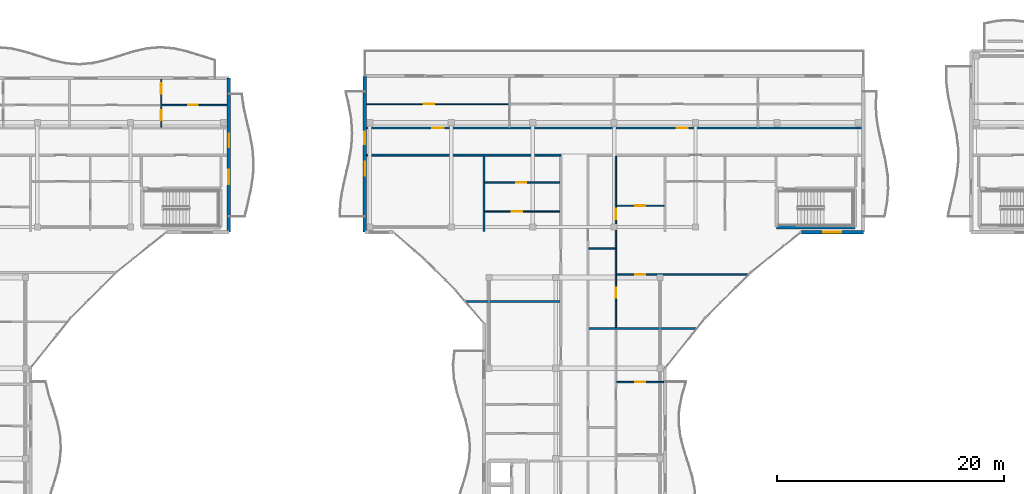
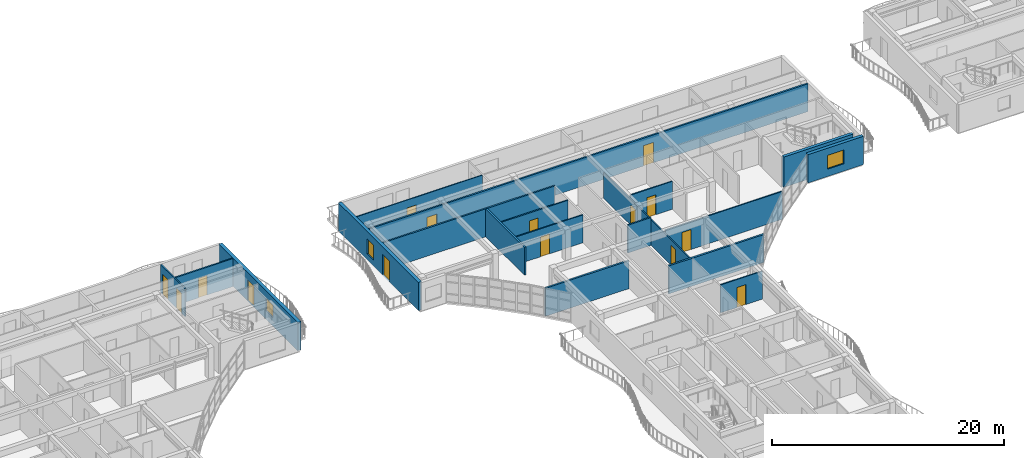
# One storey, part 32 of 54: 19 walls, 15 doors, 3 windows, 18 openings.
"""IFC4 building model written with IfcOpenShell, lengths in metres."""

from ifc_helpers import new_model, si_unit, direction, frame, frame_2d, origin, place, context, subcontext, project, spatial, rectangle, extrude, material, layer, layer_set, type_object, element, fill, save


model = new_model("IFC4")

# Units and contexts
model_context = context("Model", 3, precision=1e-05, world=origin(), true_north=direction((0.0, 1.0)))
body_context = subcontext(model_context, "Body", "Model", "MODEL_VIEW")
ifc_project = project(units=[si_unit("LENGTHUNIT", "METRE"), si_unit("AREAUNIT", "SQUARE_METRE"), si_unit("VOLUMEUNIT", "CUBIC_METRE"), si_unit("PLANEANGLEUNIT", "RADIAN"), si_unit("MASSUNIT", "GRAM", prefix="KILO")], contexts=[model_context])

# Site, building, storey
site_placement = place(None, origin())
site = spatial("IfcSite", under=ifc_project, at=site_placement, CompositionType="ELEMENT")
building_placement = place(site_placement, origin())
building = spatial("IfcBuilding", under=site, at=building_placement, Name="Keldmere Railside Commons", CompositionType="ELEMENT")
storey_placement = place(building_placement, frame((0.0, 0.0, 26.56005859375)))
storey = spatial("IfcBuildingStorey", under=building, at=storey_placement, Name="L08", CompositionType="ELEMENT", Elevation=26.56005859375)

# Walls
ifc_material_1 = material(Name="Acoustic Gypsum Board Partition", Category="gypsum")
ifc_layer_1 = layer(ifc_material_1, 0.179931640625, Name="Acoustic Demising Partition 180")
ifc_layer_set_1 = layer_set([ifc_layer_1], Name="Acoustic Gypsum Board Partition")
wall_type_1 = type_object("IfcWallType", Name="Acoustic Demising Partition 180", PredefinedType="PARTITIONING", material=ifc_layer_set_1)
wall_1_placement = place(storey_placement, frame((104.0, 100.050048828125, 0.0), z_axis=(0.0, 0.0, 1.0), x_axis=(0.0, 1.0, 0.0)))
element("IfcWall", 1, at=wall_1_placement, inside=storey, type_object=wall_type_1, Name="IW-1 IW-L08-1237", PredefinedType="PARTITIONING", context=body_context, shape_type="SweptSolid", body=[
    extrude(rectangle(XDim=6.669921875, YDim=0.179931640625, at=frame_2d((3.3349609375, 0.0))), origin(), (0.0, 0.0, 1.0), 2.93505859375),
])
wall_2_placement = place(storey_placement, frame((113.280029296875, 91.5, 0.0), z_axis=(0.0, 0.0, 1.0), x_axis=(1.0, 0.0, 0.0)))
element("IfcWall", 2, at=wall_2_placement, inside=storey, type_object=wall_type_1, Name="IW-1 IW-L08-1241", PredefinedType="PARTITIONING", context=body_context, shape_type="SweptSolid", body=[
    extrude(rectangle(XDim=9.4765625, YDim=0.179931640625, at=frame_2d((4.73828125, 0.0))), origin(), (0.0, 0.0, 1.0), 2.93505859375),
])
wall_3_placement = place(storey_placement, frame((102.410888671875, 93.89990234375, 0.0), z_axis=(0.0, 0.0, 1.0), x_axis=(1.0, 0.0, 0.0)))
element("IfcWall", 3, at=wall_3_placement, inside=storey, type_object=wall_type_1, Name="IW-1 IW-L08-1264", PredefinedType="PARTITIONING", context=body_context, shape_type="SweptSolid", body=[
    extrude(rectangle(XDim=8.30908203125, YDim=0.179931640625, at=frame_2d((4.154541015625, 0.0))), origin(), (0.0, 0.0, 1.0), 2.93505859375),
])

# Wall, openings, doors
ifc_layer_2 = layer(ifc_material_1, 0.1201171875, Name="Apartment Interior Partition 120")
ifc_layer_set_2 = layer_set([ifc_layer_2], Name="Acoustic Gypsum Board Partition")
wall_type_2 = type_object("IfcWallType", Name="Apartment Interior Partition 120", PredefinedType="PARTITIONING", material=ifc_layer_set_2)
wall_4_placement = place(storey_placement, frame((75.5400390625, 109.280029296875, 0.0), z_axis=(0.0, 0.0, 1.0), x_axis=(0.0, 1.0, 0.0)))
wall_4 = element("IfcWall", 4, at=wall_4_placement, inside=storey, type_object=wall_type_2, Name="IW-4 IW-L08-0845", PredefinedType="PARTITIONING", context=body_context, shape_type="SweptSolid", body=[
    extrude(rectangle(XDim=4.199951171875, YDim=0.1201171875, at=frame_2d((2.10009765625, 0.0))), origin(), (0.0, 0.0, 1.0), 2.93505859375),
])
opening_1_placement = place(wall_4_placement, frame((0.61767578125, 0.0, 0.0)))
opening_1 = element("IfcOpeningElement", 5, at=opening_1_placement, cuts=wall_4, Name="Opening ID-04", PredefinedType="OPENING", context=body_context, shape_type="SweptSolid", body=[
    extrude(rectangle(XDim=0.860107421875, YDim=2.10009765625, at=frame_2d((0.43017578125, 1.050048828125))), frame((0.0, 0.070068359375, 0.0), z_axis=(0.0, -1.0, 0.0), x_axis=(1.0, 0.0, 0.0)), (0.0, 0.0, 1.0), 0.14013671875),
])
opening_2_placement = place(wall_4_placement, frame((2.951416015625, 0.0, 0.0)))
opening_2 = element("IfcOpeningElement", 6, at=opening_2_placement, cuts=wall_4, Name="Opening ID-01", PredefinedType="OPENING", context=body_context, shape_type="SweptSolid", body=[
    extrude(rectangle(XDim=0.89990234375, YDim=2.10009765625, at=frame_2d((0.449951171875, 1.050048828125))), frame((0.0, 0.070068359375, 0.0), z_axis=(0.0, -1.0, 0.0), x_axis=(1.0, 0.0, 0.0)), (0.0, 0.0, 1.0), 0.14013671875),
])
ifc_material_2 = material(Name="Engineered Oak Timber", Category="wood")
door_type_1 = type_object("IfcDoorType", Name="Apartment Bathroom Door 860x2100", OperationType="NOTDEFINED", PredefinedType="DOOR", material=ifc_material_2)
door_1_placement = place(opening_1_placement, origin())
door_1 = element("IfcDoor", 7, at=door_1_placement, inside=storey, type_object=door_type_1, Name="ID-04 IDR-L08-0728", OperationType="SINGLE_SWING_RIGHT", OverallHeight=2.10009765625, OverallWidth=0.860107421875, PredefinedType="DOOR", context=body_context, shape_type="SweptSolid", body=[
    extrude(rectangle(XDim=0.860107421875, YDim=2.10009765625, at=frame_2d((0.43017578125, 1.050048828125))), frame((0.0, 0.02490234375, 0.0), z_axis=(0.0, -1.0, 0.0), x_axis=(1.0, 0.0, 0.0)), (0.0, 0.0, 1.0), 0.050048828125),
])
fill(opening_1, door_1)
door_type_2 = type_object("IfcDoorType", Name="Primary Bedroom Door 900x2100", OperationType="NOTDEFINED", PredefinedType="DOOR", material=ifc_material_2)
door_2_placement = place(opening_2_placement, origin())
door_2 = element("IfcDoor", 8, at=door_2_placement, inside=storey, type_object=door_type_2, Name="ID-01 IDR-L08-0729", OperationType="SINGLE_SWING_LEFT", OverallHeight=2.10009765625, OverallWidth=0.89990234375, PredefinedType="DOOR", context=body_context, shape_type="SweptSolid", body=[
    extrude(rectangle(XDim=0.89990234375, YDim=2.10009765625, at=frame_2d((0.449951171875, 1.050048828125))), frame((0.0, 0.02490234375, 0.0), z_axis=(0.0, -1.0, 0.0), x_axis=(1.0, 0.0, 0.0)), (0.0, 0.0, 1.0), 0.050048828125),
])
fill(opening_2, door_2)

# Wall, opening, door
wall_5_placement = place(storey_placement, frame((115.719970703125, 86.77001953125, 0.0), z_axis=(0.0, 0.0, 1.0), x_axis=(1.0, 0.0, 0.0)))
wall_5 = element("IfcWall", 9, at=wall_5_placement, inside=storey, type_object=wall_type_2, Name="IW-4 IW-L08-1249", PredefinedType="PARTITIONING", context=body_context, shape_type="SweptSolid", body=[
    extrude(rectangle(XDim=4.150146484375, YDim=0.1201171875, at=frame_2d((2.0751953125, 0.0))), origin(), (0.0, 0.0, 1.0), 2.93505859375),
])
opening_3_placement = place(wall_5_placement, frame((1.635009765625, 0.0, 0.0)))
opening_3 = element("IfcOpeningElement", 10, at=opening_3_placement, cuts=wall_5, Name="Opening ID-02", PredefinedType="OPENING", context=body_context, shape_type="SweptSolid", body=[
    extrude(rectangle(XDim=0.8798828125, YDim=2.10009765625, at=frame_2d((0.43994140625, 1.050048828125))), frame((0.0, 0.070068359375, 0.0), z_axis=(0.0, -1.0, 0.0), x_axis=(1.0, 0.0, 0.0)), (0.0, 0.0, 1.0), 0.14013671875),
])
door_type_3 = type_object("IfcDoorType", Name="Secondary Bedroom Door 880x2100", OperationType="NOTDEFINED", PredefinedType="DOOR", material=ifc_material_2)
door_3_placement = place(opening_3_placement, origin())
door_3 = element("IfcDoor", 11, at=door_3_placement, inside=storey, type_object=door_type_3, Name="ID-02 IDR-L08-1109", OperationType="SINGLE_SWING_LEFT", OverallHeight=2.10009765625, OverallWidth=0.8798828125, PredefinedType="DOOR", context=body_context, shape_type="SweptSolid", body=[
    extrude(rectangle(XDim=0.8798828125, YDim=2.10009765625, at=frame_2d((0.43994140625, 1.050048828125))), frame((0.0, 0.02490234375, 0.0), z_axis=(0.0, -1.0, 0.0), x_axis=(1.0, 0.0, 0.0)), (0.0, 0.0, 1.0), 0.050048828125),
])
fill(opening_3, door_3)

# Wall, openings, doors
wall_6_placement = place(storey_placement, frame((115.659912109375, 91.590087890625, 0.0), z_axis=(0.0, 0.0, 1.0), x_axis=(0.0, 1.0, 0.0)))
wall_6 = element("IfcWall", 12, at=wall_6_placement, inside=storey, type_object=wall_type_2, Name="IW-4 IW-L08-1250", PredefinedType="PARTITIONING", context=body_context, shape_type="SweptSolid", body=[
    extrude(rectangle(XDim=15.1298828125, YDim=0.1201171875, at=frame_2d((7.56494140625, 0.0))), origin(), (0.0, 0.0, 1.0), 2.679931640625),
])
opening_4_placement = place(wall_6_placement, frame((2.644775390625, 0.0, 0.0)))
opening_4 = element("IfcOpeningElement", 13, at=opening_4_placement, cuts=wall_6, Name="Opening ID-04", PredefinedType="OPENING", context=body_context, shape_type="SweptSolid", body=[
    extrude(rectangle(XDim=0.860107421875, YDim=2.10009765625, at=frame_2d((0.43017578125, 1.050048828125))), frame((0.0, 0.070068359375, 0.0), z_axis=(0.0, -1.0, 0.0), x_axis=(1.0, 0.0, 0.0)), (0.0, 0.0, 1.0), 0.14013671875),
])
opening_5_placement = place(wall_6_placement, frame((9.547607421875, 0.0, 0.0)))
opening_5 = element("IfcOpeningElement", 14, at=opening_5_placement, cuts=wall_6, Name="Opening ID-03", PredefinedType="OPENING", context=body_context, shape_type="SweptSolid", body=[
    extrude(rectangle(XDim=0.919921875, YDim=2.10009765625, at=frame_2d((0.4599609375, 1.050048828125))), frame((0.0, 0.070068359375, 0.0), z_axis=(0.0, -1.0, 0.0), x_axis=(1.0, 0.0, 0.0)), (0.0, 0.0, 1.0), 0.14013671875),
])
door_4_placement = place(opening_4_placement, origin())
door_4 = element("IfcDoor", 15, at=door_4_placement, inside=storey, type_object=door_type_1, Name="ID-04 IDR-L08-1110", OperationType="SINGLE_SWING_RIGHT", OverallHeight=2.10009765625, OverallWidth=0.860107421875, PredefinedType="DOOR", context=body_context, shape_type="SweptSolid", body=[
    extrude(rectangle(XDim=0.860107421875, YDim=2.10009765625, at=frame_2d((0.43017578125, 1.050048828125))), frame((0.0, 0.02490234375, 0.0), z_axis=(0.0, -1.0, 0.0), x_axis=(1.0, 0.0, 0.0)), (0.0, 0.0, 1.0), 0.050048828125),
])
fill(opening_4, door_4)
door_type_4 = type_object("IfcDoorType", Name="Kitchen Pocket-Frame Swing Door 920x2100", OperationType="NOTDEFINED", PredefinedType="DOOR", material=ifc_material_2)
door_5_placement = place(opening_5_placement, origin())
door_5 = element("IfcDoor", 16, at=door_5_placement, inside=storey, type_object=door_type_4, Name="ID-03 IDR-L08-1111", OperationType="SINGLE_SWING_LEFT", OverallHeight=2.10009765625, OverallWidth=0.919921875, PredefinedType="DOOR", context=body_context, shape_type="SweptSolid", body=[
    extrude(rectangle(XDim=0.919921875, YDim=2.10009765625, at=frame_2d((0.4599609375, 1.050048828125))), frame((0.0, 0.02490234375, 0.0), z_axis=(0.0, -1.0, 0.0), x_axis=(1.0, 0.0, 0.0)), (0.0, 0.0, 1.0), 0.050048828125),
])
fill(opening_5, door_5)

# Wall, opening, door
wall_7_placement = place(storey_placement, frame((115.719970703125, 96.280029296875, 0.0), z_axis=(0.0, 0.0, 1.0), x_axis=(1.0, 0.0, 0.0)))
wall_7 = element("IfcWall", 17, at=wall_7_placement, inside=storey, type_object=wall_type_2, Name="IW-4 IW-L08-1252", PredefinedType="PARTITIONING", context=body_context, shape_type="SweptSolid", body=[
    extrude(rectangle(XDim=11.62744140625, YDim=0.1201171875, at=frame_2d((5.813720703125, 0.0))), origin(), (0.0, 0.0, 1.0), 2.93505859375),
])
opening_6_placement = place(wall_7_placement, frame((1.64501953125, 0.0, 0.0)))
opening_6 = element("IfcOpeningElement", 18, at=opening_6_placement, cuts=wall_7, Name="Opening ID-01", PredefinedType="OPENING", context=body_context, shape_type="SweptSolid", body=[
    extrude(rectangle(XDim=0.89990234375, YDim=2.10009765625, at=frame_2d((0.449951171875, 1.050048828125))), frame((0.0, 0.070068359375, 0.0), z_axis=(0.0, -1.0, 0.0), x_axis=(1.0, 0.0, 0.0)), (0.0, 0.0, 1.0), 0.14013671875),
])
door_6_placement = place(opening_6_placement, origin())
door_6 = element("IfcDoor", 19, at=door_6_placement, inside=storey, type_object=door_type_2, Name="ID-01 IDR-L08-1113", OperationType="SINGLE_SWING_LEFT", OverallHeight=2.10009765625, OverallWidth=0.89990234375, PredefinedType="DOOR", context=body_context, shape_type="SweptSolid", body=[
    extrude(rectangle(XDim=0.89990234375, YDim=2.10009765625, at=frame_2d((0.449951171875, 1.050048828125))), frame((0.0, 0.02490234375, 0.0), z_axis=(0.0, -1.0, 0.0), x_axis=(1.0, 0.0, 0.0)), (0.0, 0.0, 1.0), 0.050048828125),
])
fill(opening_6, door_6)

wall_8_placement = place(storey_placement, frame((115.719970703125, 102.330078125, 0.0), z_axis=(0.0, 0.0, 1.0), x_axis=(1.0, 0.0, 0.0)))
wall_8 = element("IfcWall", 20, at=wall_8_placement, inside=storey, type_object=wall_type_2, Name="IW-4 IW-L08-1253", PredefinedType="PARTITIONING", context=body_context, shape_type="SweptSolid", body=[
    extrude(rectangle(XDim=4.18994140625, YDim=0.1201171875, at=frame_2d((2.094970703125, 0.0))), origin(), (0.0, 0.0, 1.0), 2.93505859375),
])
opening_7_placement = place(wall_8_placement, frame((1.655029296875, 0.0, 0.0)))
opening_7 = element("IfcOpeningElement", 21, at=opening_7_placement, cuts=wall_8, Name="Opening ID-02", PredefinedType="OPENING", context=body_context, shape_type="SweptSolid", body=[
    extrude(rectangle(XDim=0.8798828125, YDim=2.10009765625, at=frame_2d((0.43994140625, 1.050048828125))), frame((0.0, 0.070068359375, 0.0), z_axis=(0.0, -1.0, 0.0), x_axis=(1.0, 0.0, 0.0)), (0.0, 0.0, 1.0), 0.14013671875),
])
door_7_placement = place(opening_7_placement, origin())
door_7 = element("IfcDoor", 22, at=door_7_placement, inside=storey, type_object=door_type_3, Name="ID-02 IDR-L08-1114", OperationType="SINGLE_SWING_RIGHT", OverallHeight=2.10009765625, OverallWidth=0.8798828125, PredefinedType="DOOR", context=body_context, shape_type="SweptSolid", body=[
    extrude(rectangle(XDim=0.8798828125, YDim=2.10009765625, at=frame_2d((0.43994140625, 1.050048828125))), frame((0.0, 0.02490234375, 0.0), z_axis=(0.0, -1.0, 0.0), x_axis=(1.0, 0.0, 0.0)), (0.0, 0.0, 1.0), 0.050048828125),
])
fill(opening_7, door_7)

wall_9_placement = place(storey_placement, frame((104.090087890625, 101.820068359375, 0.0), z_axis=(0.0, 0.0, 1.0), x_axis=(1.0, 0.0, 0.0)))
wall_9 = element("IfcWall", 23, at=wall_9_placement, inside=storey, type_object=wall_type_2, Name="IW-4 IW-L08-1267", PredefinedType="PARTITIONING", context=body_context, shape_type="SweptSolid", body=[
    extrude(rectangle(XDim=6.6298828125, YDim=0.1201171875, at=frame_2d((3.31494140625, 0.0))), origin(), (0.0, 0.0, 1.0), 2.93505859375),
])
opening_8_placement = place(wall_9_placement, frame((2.384521484375, 0.0, 0.0)))
opening_8 = element("IfcOpeningElement", 24, at=opening_8_placement, cuts=wall_9, Name="Opening ID-03", PredefinedType="OPENING", context=body_context, shape_type="SweptSolid", body=[
    extrude(rectangle(XDim=0.919921875, YDim=2.10009765625, at=frame_2d((0.4599609375, 1.050048828125))), frame((0.0, 0.070068359375, 0.0), z_axis=(0.0, -1.0, 0.0), x_axis=(1.0, 0.0, 0.0)), (0.0, 0.0, 1.0), 0.14013671875),
])
door_8_placement = place(opening_8_placement, origin())
door_8 = element("IfcDoor", 25, at=door_8_placement, inside=storey, type_object=door_type_4, Name="ID-03 IDR-L08-1134", OperationType="SINGLE_SWING_RIGHT", OverallHeight=2.10009765625, OverallWidth=0.919921875, PredefinedType="DOOR", context=body_context, shape_type="SweptSolid", body=[
    extrude(rectangle(XDim=0.919921875, YDim=2.10009765625, at=frame_2d((0.4599609375, 1.050048828125))), frame((0.0, 0.02490234375, 0.0), z_axis=(0.0, -1.0, 0.0), x_axis=(1.0, 0.0, 0.0)), (0.0, 0.0, 1.0), 0.050048828125),
])
fill(opening_8, door_8)

ifc_layer_3 = layer(ifc_material_1, 0.10009765625, Name="Closet Light Partition 100")
ifc_layer_set_3 = layer_set([ifc_layer_3], Name="Acoustic Gypsum Board Partition")
wall_type_3 = type_object("IfcWallType", Name="Closet Light Partition 100", PredefinedType="PARTITIONING", material=ifc_layer_set_3)
wall_10_placement = place(storey_placement, frame((93.659912109375, 111.300048828125, 0.0), z_axis=(0.0, 0.0, 1.0), x_axis=(1.0, 0.0, 0.0)))
wall_10 = element("IfcWall", 26, at=wall_10_placement, inside=storey, type_object=wall_type_3, Name="IW-6 IW-L08-1257", PredefinedType="PARTITIONING", context=body_context, shape_type="SweptSolid", body=[
    extrude(rectangle(XDim=12.550048828125, YDim=0.10009765625, at=frame_2d((6.27490234375, 0.0))), origin(), (0.0, 0.0, 1.0), 2.93505859375),
])
opening_9_placement = place(wall_10_placement, frame((5.0439453125, 0.0, 0.0)))
opening_9 = element("IfcOpeningElement", 27, at=opening_9_placement, cuts=wall_10, Name="Opening ID-03", PredefinedType="OPENING", context=body_context, shape_type="SweptSolid", body=[
    extrude(rectangle(XDim=0.919921875, YDim=2.10009765625, at=frame_2d((0.4599609375, 1.050048828125))), frame((0.0, 0.06005859375, 0.0), z_axis=(0.0, -1.0, 0.0), x_axis=(1.0, 0.0, 0.0)), (0.0, 0.0, 1.0), 0.1201171875),
])
door_9_placement = place(opening_9_placement, origin())
door_9 = element("IfcDoor", 28, at=door_9_placement, inside=storey, type_object=door_type_4, Name="ID-03 IDR-L08-1116", OperationType="SINGLE_SWING_RIGHT", OverallHeight=2.10009765625, OverallWidth=0.919921875, PredefinedType="DOOR", context=body_context, shape_type="SweptSolid", body=[
    extrude(rectangle(XDim=0.919921875, YDim=2.10009765625, at=frame_2d((0.4599609375, 1.050048828125))), frame((0.0, 0.02490234375, 0.0), z_axis=(0.0, -1.0, 0.0), x_axis=(1.0, 0.0, 0.0)), (0.0, 0.0, 1.0), 0.050048828125),
])
fill(opening_9, door_9)

# Wall
ifc_layer_4 = layer(ifc_material_1, 0.159912109375, Name="Corridor Fire Partition 160")
ifc_layer_set_4 = layer_set([ifc_layer_4], Name="Acoustic Gypsum Board Partition")
wall_type_4 = type_object("IfcWallType", Name="Corridor Fire Partition 160", PredefinedType="PARTITIONING", material=ifc_layer_set_4)
wall_11_placement = place(storey_placement, frame((93.659912109375, 106.800048828125, 0.0), z_axis=(0.0, 0.0, 1.0), x_axis=(1.0, 0.0, 0.0)))
element("IfcWall", 29, at=wall_11_placement, inside=storey, type_object=wall_type_4, Name="IW-2 IW-L08-1233", PredefinedType="PARTITIONING", context=body_context, shape_type="SweptSolid", body=[
    extrude(rectangle(XDim=17.14013671875, YDim=0.159912109375, at=frame_2d((8.570068359375, 0.0))), origin(), (0.0, 0.0, 1.0), 2.93505859375),
])

# Wall, openings, doors
wall_12_placement = place(storey_placement, frame((93.659912109375, 109.199951171875, 0.0), z_axis=(0.0, 0.0, 1.0), x_axis=(1.0, 0.0, 0.0)))
wall_12 = element("IfcWall", 30, at=wall_12_placement, inside=storey, type_object=wall_type_4, Name="IW-2 IW-L08-1235", PredefinedType="PARTITIONING", context=body_context, shape_type="SweptSolid", body=[
    extrude(rectangle(XDim=43.68017578125, YDim=0.159912109375, at=frame_2d((21.840087890625, 0.0))), origin(), (0.0, 0.0, 1.0), 2.93505859375),
])
opening_10_placement = place(wall_12_placement, frame((5.81494140625, 0.0, 0.0)))
opening_10 = element("IfcOpeningElement", 31, at=opening_10_placement, cuts=wall_12, Name="Opening FD-7", PredefinedType="OPENING", context=body_context, shape_type="SweptSolid", body=[
    extrude(rectangle(XDim=0.97998046875, YDim=2.14990234375, at=frame_2d((0.489990234375, 1.074951171875))), frame((0.0, 0.08984375, 0.0), z_axis=(0.0, -1.0, 0.0), x_axis=(1.0, 0.0, 0.0)), (0.0, 0.0, 1.0), 0.179931640625),
])
opening_11_placement = place(wall_12_placement, frame((27.35009765625, 0.0, 0.0)))
opening_11 = element("IfcOpeningElement", 32, at=opening_11_placement, cuts=wall_12, Name="Opening FD-7", PredefinedType="OPENING", context=body_context, shape_type="SweptSolid", body=[
    extrude(rectangle(XDim=0.97998046875, YDim=2.14990234375, at=frame_2d((0.489990234375, 1.074951171875))), frame((0.0, 0.08984375, 0.0), z_axis=(0.0, -1.0, 0.0), x_axis=(1.0, 0.0, 0.0)), (0.0, 0.0, 1.0), 0.179931640625),
])
door_type_5 = type_object("IfcDoorType", Name="Apartment Entrance Acoustic Fire Door 980x2150", OperationType="NOTDEFINED", PredefinedType="DOOR", material=ifc_material_2)
door_10_placement = place(opening_10_placement, origin())
door_10 = element("IfcDoor", 33, at=door_10_placement, inside=storey, type_object=door_type_5, Name="FD-7 IDR-L08-1115", OperationType="SINGLE_SWING_LEFT", OverallHeight=2.14990234375, OverallWidth=0.97998046875, PredefinedType="DOOR", context=body_context, shape_type="SweptSolid", body=[
    extrude(rectangle(XDim=0.97998046875, YDim=2.14990234375, at=frame_2d((0.489990234375, 1.074951171875))), frame((0.0, 0.02490234375, 0.0), z_axis=(0.0, -1.0, 0.0), x_axis=(1.0, 0.0, 0.0)), (0.0, 0.0, 1.0), 0.050048828125),
])
fill(opening_10, door_10)
door_11_placement = place(opening_11_placement, origin())
door_11 = element("IfcDoor", 34, at=door_11_placement, inside=storey, type_object=door_type_5, Name="FD-7 IDR-L08-1120", OperationType="SINGLE_SWING_RIGHT", OverallHeight=2.14990234375, OverallWidth=0.97998046875, PredefinedType="DOOR", context=body_context, shape_type="SweptSolid", body=[
    extrude(rectangle(XDim=0.97998046875, YDim=2.14990234375, at=frame_2d((0.489990234375, 1.074951171875))), frame((0.0, 0.02490234375, 0.0), z_axis=(0.0, -1.0, 0.0), x_axis=(1.0, 0.0, 0.0)), (0.0, 0.0, 1.0), 0.050048828125),
])
fill(opening_11, door_11)

# Wall, openings, door, window
ifc_material_3 = material(Name="Concrete H-35 (C35/45)", Category="concrete")
ifc_layer_5 = layer(ifc_material_3, 0.320068359375, Name="Exterior Shear Wall 320")
ifc_layer_set_5 = layer_set([ifc_layer_5], Name="Concrete H-35 (C35/45)")
wall_type_5 = type_object("IfcWallType", Name="Exterior Shear Wall 320", PredefinedType="SHEAR", material=ifc_layer_set_5)
wall_13_placement = place(storey_placement, frame((81.5, 113.60009765625, 0.0), z_axis=(0.0, 0.0, 1.0), x_axis=(0.0, -1.0, 0.0)))
wall_13 = element("IfcWall", 35, at=wall_13_placement, inside=storey, type_object=wall_type_5, Name="ESW-2 EXTC-L08-0391", PredefinedType="SHEAR", context=body_context, shape_type="SweptSolid", body=[
    extrude(rectangle(XDim=13.60009765625, YDim=0.320068359375, at=frame_2d((6.800048828125, 0.0))), origin(), (0.0, 0.0, 1.0), 2.97998046875),
])
opening_12_placement = place(wall_13_placement, frame((4.89990234375, 0.0, 0.0)))
opening_12 = element("IfcOpeningElement", 36, at=opening_12_placement, cuts=wall_13, Name="Opening BD-01", PredefinedType="OPENING", context=body_context, shape_type="SweptSolid", body=[
    extrude(rectangle(XDim=1.199951171875, YDim=2.199951171875, at=frame_2d((0.60009765625, 1.10009765625))), frame((0.0, 0.169921875, 0.0), z_axis=(0.0, -1.0, 0.0), x_axis=(1.0, 0.0, 0.0)), (0.0, 0.0, 1.0), 0.340087890625),
])
opening_13_placement = place(wall_13_placement, frame((8.10009765625, 0.0, 0.8701171875)))
opening_13 = element("IfcOpeningElement", 37, at=opening_13_placement, cuts=wall_13, Name="Opening WN-09", PredefinedType="OPENING", context=body_context, shape_type="SweptSolid", body=[
    extrude(rectangle(XDim=1.25, YDim=1.35009765625, at=frame_2d((0.625, 0.675048828125))), frame((0.0, 0.169921875, 0.0), z_axis=(0.0, -1.0, 0.0), x_axis=(1.0, 0.0, 0.0)), (0.0, 0.0, 1.0), 0.340087890625),
])
ifc_material_4 = material(Name="Thermally Broken Aluminium", Category="aluminium")
door_type_6 = type_object("IfcDoorType", Name="Apartment Living Wave-Balcony Glazed Door 1200x2200", OperationType="NOTDEFINED", PredefinedType="DOOR", material=ifc_material_4)
door_12_placement = place(opening_12_placement, origin())
door_12 = element("IfcDoor", 38, at=door_12_placement, inside=storey, type_object=door_type_6, Name="BD-01 DR-L08-0109", OperationType="SINGLE_SWING_LEFT", OverallHeight=2.199951171875, OverallWidth=1.199951171875, PredefinedType="DOOR", context=body_context, shape_type="SweptSolid", body=[
    extrude(rectangle(XDim=1.199951171875, YDim=2.199951171875, at=frame_2d((0.60009765625, 1.10009765625))), frame((0.0, 0.02490234375, 0.0), z_axis=(0.0, -1.0, 0.0), x_axis=(1.0, 0.0, 0.0)), (0.0, 0.0, 1.0), 0.050048828125),
])
fill(opening_12, door_12)
ifc_material_5 = material(Name="Low-E Insulated Double Glazing", Category="glass")
window_type_1 = type_object("IfcWindowType", Name="Secondary Bedroom Window 1250x1350", PartitioningType="SINGLE_PANEL", PredefinedType="WINDOW", material=ifc_material_5)
window_1_placement = place(opening_13_placement, origin())
window_1 = element("IfcWindow", 39, at=window_1_placement, inside=storey, type_object=window_type_1, Name="WN-09 WIN-L08-0311", OverallHeight=1.35009765625, OverallWidth=1.25, PartitioningType="SINGLE_PANEL", PredefinedType="WINDOW", context=body_context, shape_type="SweptSolid", body=[
    extrude(rectangle(XDim=1.25, YDim=1.35009765625, at=frame_2d((0.625, 0.675048828125))), frame((0.0, 0.030029296875, 0.0), z_axis=(0.0, -1.0, 0.0), x_axis=(1.0, 0.0, 0.0)), (0.0, 0.0, 1.0), 0.06005859375),
])
fill(opening_13, window_1)

# Wall, opening, window
wall_14_placement = place(storey_placement, frame((137.5, 100.0, 0.0), z_axis=(0.0, 0.0, 1.0), x_axis=(-1.0, 0.0, 0.0)))
wall_14 = element("IfcWall", 40, at=wall_14_placement, inside=storey, type_object=wall_type_5, Name="ESW-2 EXTB-L08-0649", PredefinedType="SHEAR", context=body_context, shape_type="SweptSolid", body=[
    extrude(rectangle(XDim=5.5, YDim=0.320068359375, at=frame_2d((2.75, 0.0))), origin(), (0.0, 0.0, 1.0), 2.97998046875),
])
opening_14_placement = place(wall_14_placement, frame((1.949951171875, 0.0, 0.77001953125)))
opening_14 = element("IfcOpeningElement", 41, at=opening_14_placement, cuts=wall_14, Name="Opening WN-04", PredefinedType="OPENING", context=body_context, shape_type="SweptSolid", body=[
    extrude(rectangle(XDim=1.60009765625, YDim=1.449951171875, at=frame_2d((0.800048828125, 0.72509765625))), frame((0.0, 0.169921875, 0.0), z_axis=(0.0, -1.0, 0.0), x_axis=(1.0, 0.0, 0.0)), (0.0, 0.0, 1.0), 0.340087890625),
])
window_type_2 = type_object("IfcWindowType", Name="Living Room West Shaded Window 1600x1450", PartitioningType="SINGLE_PANEL", PredefinedType="WINDOW", material=ifc_material_5)
window_2_placement = place(opening_14_placement, origin())
window_2 = element("IfcWindow", 42, at=window_2_placement, inside=storey, type_object=window_type_2, Name="WN-04 WIN-L08-0496", OverallHeight=1.449951171875, OverallWidth=1.60009765625, PartitioningType="SINGLE_PANEL", PredefinedType="WINDOW", context=body_context, shape_type="SweptSolid", body=[
    extrude(rectangle(XDim=1.60009765625, YDim=1.449951171875, at=frame_2d((0.800048828125, 0.72509765625))), frame((0.0, 0.030029296875, 0.0), z_axis=(0.0, -1.0, 0.0), x_axis=(1.0, 0.0, 0.0)), (0.0, 0.0, 1.0), 0.06005859375),
])
fill(opening_14, window_2)

# Wall, openings, door, window
wall_15_placement = place(storey_placement, frame((93.5, 100.0, 0.0), z_axis=(0.0, 0.0, 1.0), x_axis=(0.0, 1.0, 0.0)))
wall_15 = element("IfcWall", 43, at=wall_15_placement, inside=storey, type_object=wall_type_5, Name="ESW-2 EXTB-L08-0652", PredefinedType="SHEAR", context=body_context, shape_type="SweptSolid", body=[
    extrude(rectangle(XDim=13.800048828125, YDim=0.320068359375, at=frame_2d((6.89990234375, 0.0))), origin(), (0.0, 0.0, 1.0), 2.97998046875),
])
opening_15_placement = place(wall_15_placement, frame((5.0, 0.0, 0.0)))
opening_15 = element("IfcOpeningElement", 44, at=opening_15_placement, cuts=wall_15, Name="Opening BD-01", PredefinedType="OPENING", context=body_context, shape_type="SweptSolid", body=[
    extrude(rectangle(XDim=1.199951171875, YDim=2.199951171875, at=frame_2d((0.60009765625, 1.10009765625))), frame((0.0, 0.169921875, 0.0), z_axis=(0.0, -1.0, 0.0), x_axis=(1.0, 0.0, 0.0)), (0.0, 0.0, 1.0), 0.340087890625),
])
opening_16_placement = place(wall_15_placement, frame((7.75, 0.0, 0.6201171875)))
opening_16 = element("IfcOpeningElement", 45, at=opening_16_placement, cuts=wall_15, Name="Opening WN-16", PredefinedType="OPENING", context=body_context, shape_type="SweptSolid", body=[
    extrude(rectangle(XDim=1.10009765625, YDim=1.60009765625, at=frame_2d((0.550048828125, 0.800048828125))), frame((0.0, 0.169921875, 0.0), z_axis=(0.0, -1.0, 0.0), x_axis=(1.0, 0.0, 0.0)), (0.0, 0.0, 1.0), 0.340087890625),
])
door_13_placement = place(opening_15_placement, origin())
door_13 = element("IfcDoor", 46, at=door_13_placement, inside=storey, type_object=door_type_6, Name="BD-01 DR-L08-0188", OperationType="SINGLE_SWING_RIGHT", OverallHeight=2.199951171875, OverallWidth=1.199951171875, PredefinedType="DOOR", context=body_context, shape_type="SweptSolid", body=[
    extrude(rectangle(XDim=1.199951171875, YDim=2.199951171875, at=frame_2d((0.60009765625, 1.10009765625))), frame((0.0, 0.02490234375, 0.0), z_axis=(0.0, -1.0, 0.0), x_axis=(1.0, 0.0, 0.0)), (0.0, 0.0, 1.0), 0.050048828125),
])
fill(opening_15, door_13)
window_type_3 = type_object("IfcWindowType", Name="Corridor End Daylight Window 1100x1600", PartitioningType="SINGLE_PANEL", PredefinedType="WINDOW", material=ifc_material_5)
window_3_placement = place(opening_16_placement, origin())
window_3 = element("IfcWindow", 47, at=window_3_placement, inside=storey, type_object=window_type_3, Name="WN-16 WIN-L08-0503", OverallHeight=1.60009765625, OverallWidth=1.10009765625, PartitioningType="SINGLE_PANEL", PredefinedType="WINDOW", context=body_context, shape_type="SweptSolid", body=[
    extrude(rectangle(XDim=1.10009765625, YDim=1.60009765625, at=frame_2d((0.550048828125, 0.800048828125))), frame((0.0, 0.030029296875, 0.0), z_axis=(0.0, -1.0, 0.0), x_axis=(1.0, 0.0, 0.0)), (0.0, 0.0, 1.0), 0.06005859375),
])
fill(opening_16, window_3)

# Wall
ifc_layer_6 = layer(ifc_material_3, 0.300048828125, Name="Interior Shear Wall 300")
ifc_layer_set_6 = layer_set([ifc_layer_6], Name="Concrete H-35 (C35/45)")
wall_type_6 = type_object("IfcWallType", Name="Interior Shear Wall 300", PredefinedType="SHEAR", material=ifc_layer_set_6)
wall_16_placement = place(storey_placement, frame((129.85009765625, 100.449951171875, 0.0), z_axis=(0.0, 0.0, 1.0), x_axis=(1.0, 0.0, 0.0)))
element("IfcWall", 48, at=wall_16_placement, inside=storey, type_object=wall_type_6, Name="ISW-2 COREB2S-L08-0536", PredefinedType="SHEAR", context=body_context, shape_type="SweptSolid", body=[
    extrude(rectangle(XDim=6.89990234375, YDim=0.300048828125, at=frame_2d((3.449951171875, 0.0))), origin(), (0.0, 0.0, 1.0), 3.199951171875),
])

# Wall, opening, door
ifc_layer_7 = layer(ifc_material_1, 0.139892578125, Name="Wet-Room Sanitary Partition 140")
ifc_layer_set_7 = layer_set([ifc_layer_7], Name="Acoustic Gypsum Board Partition")
wall_type_7 = type_object("IfcWallType", Name="Wet-Room Sanitary Partition 140", PredefinedType="PARTITIONING", material=ifc_layer_set_7)
wall_17_placement = place(storey_placement, frame((75.60009765625, 111.2099609375, 0.0), z_axis=(0.0, 0.0, 1.0), x_axis=(1.0, 0.0, 0.0)))
wall_17 = element("IfcWall", 49, at=wall_17_placement, inside=storey, type_object=wall_type_7, Name="IW-5 IW-L08-0846", PredefinedType="PARTITIONING", context=body_context, shape_type="SweptSolid", body=[
    extrude(rectangle(XDim=5.739990234375, YDim=0.139892578125, at=frame_2d((2.8701171875, 0.0))), origin(), (0.0, 0.0, 1.0), 2.93505859375),
])
opening_17_placement = place(wall_17_placement, frame((2.320068359375, 0.0, 0.0)))
opening_17 = element("IfcOpeningElement", 50, at=opening_17_placement, cuts=wall_17, Name="Opening ID-06", PredefinedType="OPENING", context=body_context, shape_type="SweptSolid", body=[
    extrude(rectangle(XDim=0.85009765625, YDim=2.050048828125, at=frame_2d((0.425048828125, 1.02490234375))), frame((0.0, 0.079833984375, 0.0), z_axis=(0.0, -1.0, 0.0), x_axis=(1.0, 0.0, 0.0)), (0.0, 0.0, 1.0), 0.159912109375),
])
door_type_7 = type_object("IfcDoorType", Name="Storage Closet Door 850x2050", OperationType="NOTDEFINED", PredefinedType="DOOR", material=ifc_material_2)
door_14_placement = place(opening_17_placement, origin())
door_14 = element("IfcDoor", 51, at=door_14_placement, inside=storey, type_object=door_type_7, Name="ID-06 IDR-L08-0730", OperationType="SINGLE_SWING_RIGHT", OverallHeight=2.050048828125, OverallWidth=0.85009765625, PredefinedType="DOOR", context=body_context, shape_type="SweptSolid", body=[
    extrude(rectangle(XDim=0.85009765625, YDim=2.050048828125, at=frame_2d((0.425048828125, 1.02490234375))), frame((0.0, 0.02490234375, 0.0), z_axis=(0.0, -1.0, 0.0), x_axis=(1.0, 0.0, 0.0)), (0.0, 0.0, 1.0), 0.050048828125),
])
fill(opening_17, door_14)

# Wall
wall_18_placement = place(storey_placement, frame((113.280029296875, 98.550048828125, 0.0), z_axis=(0.0, 0.0, 1.0), x_axis=(1.0, 0.0, 0.0)))
element("IfcWall", 52, at=wall_18_placement, inside=storey, type_object=wall_type_7, Name="IW-5 IW-L08-1251", PredefinedType="PARTITIONING", context=body_context, shape_type="SweptSolid", body=[
    extrude(rectangle(XDim=2.320068359375, YDim=0.139892578125, at=frame_2d((1.16015625, 0.0))), origin(), (0.0, 0.0, 1.0), 2.93505859375),
])

# Wall, opening, door
wall_19_placement = place(storey_placement, frame((104.090087890625, 104.3701171875, 0.0), z_axis=(0.0, 0.0, 1.0), x_axis=(1.0, 0.0, 0.0)))
wall_19 = element("IfcWall", 53, at=wall_19_placement, inside=storey, type_object=wall_type_7, Name="IW-5 IW-L08-1268", PredefinedType="PARTITIONING", context=body_context, shape_type="SweptSolid", body=[
    extrude(rectangle(XDim=6.6298828125, YDim=0.139892578125, at=frame_2d((3.31494140625, 0.0))), origin(), (0.0, 0.0, 1.0), 2.93505859375),
])
opening_18_placement = place(wall_19_placement, frame((2.78466796875, 0.0, 0.0)))
opening_18 = element("IfcOpeningElement", 54, at=opening_18_placement, cuts=wall_19, Name="Opening ID-04", PredefinedType="OPENING", context=body_context, shape_type="SweptSolid", body=[
    extrude(rectangle(XDim=0.860107421875, YDim=2.10009765625, at=frame_2d((0.43017578125, 1.050048828125))), frame((0.0, 0.079833984375, 0.0), z_axis=(0.0, -1.0, 0.0), x_axis=(1.0, 0.0, 0.0)), (0.0, 0.0, 1.0), 0.159912109375),
])
door_15_placement = place(opening_18_placement, origin())
door_15 = element("IfcDoor", 55, at=door_15_placement, inside=storey, type_object=door_type_1, Name="ID-04 IDR-L08-1133", OperationType="SINGLE_SWING_LEFT", OverallHeight=2.10009765625, OverallWidth=0.860107421875, PredefinedType="DOOR", context=body_context, shape_type="SweptSolid", body=[
    extrude(rectangle(XDim=0.860107421875, YDim=2.10009765625, at=frame_2d((0.43017578125, 1.050048828125))), frame((0.0, 0.02490234375, 0.0), z_axis=(0.0, -1.0, 0.0), x_axis=(1.0, 0.0, 0.0)), (0.0, 0.0, 1.0), 0.050048828125),
])
fill(opening_18, door_15)

save(model, "model.ifc")
